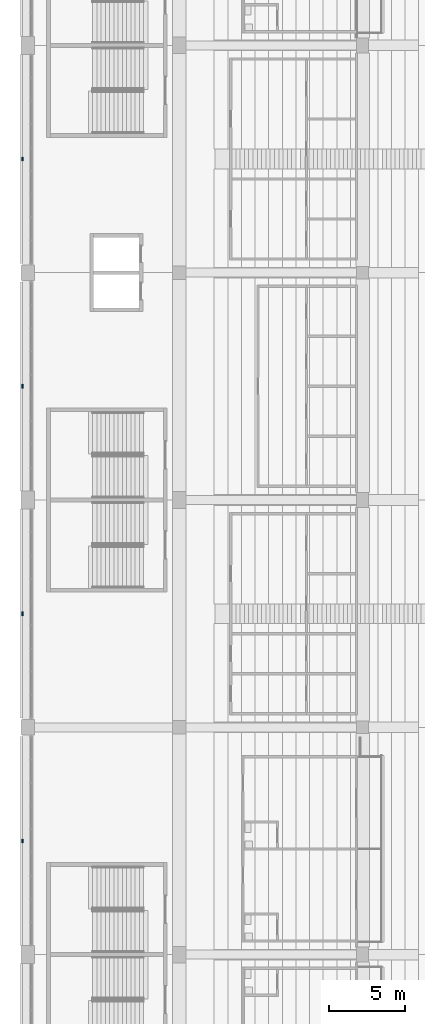
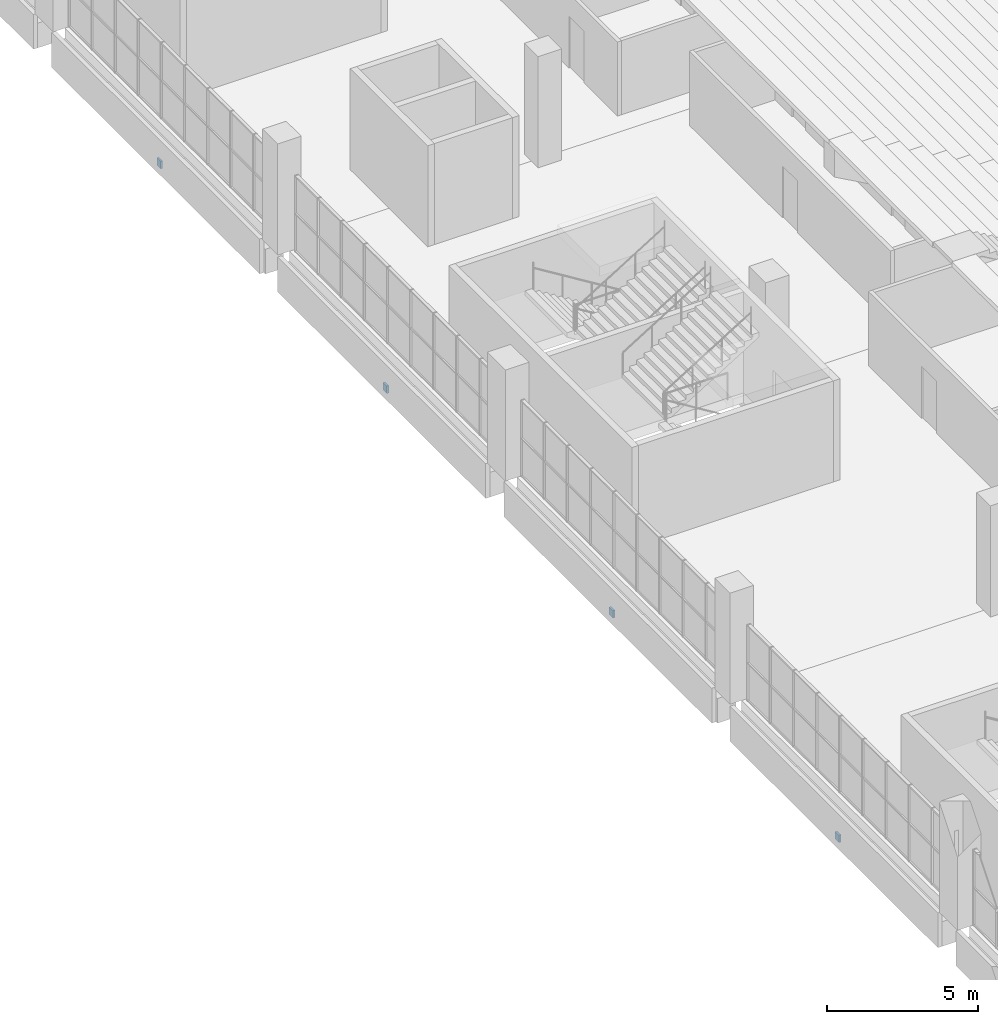
# One storey, part 104 of 249: 4 discrete accessories.
"""IFC4 building model written with IfcOpenShell, lengths in metres."""

from ifc_helpers import new_model, si_unit, direction, frame, origin, origin_2d, place, context, subcontext, project, spatial, rectangle, extrude, material, layer, layer_set, type_object, element, save


model = new_model("IFC4")

# Units and contexts
model_context = context("Model", 3, precision=1e-05, world=origin(), true_north=direction((0.0, 1.0)))
body_context = subcontext(model_context, "Body", "Model", "MODEL_VIEW")
ifc_project = project(units=[si_unit("LENGTHUNIT", "METRE"), si_unit("AREAUNIT", "SQUARE_METRE"), si_unit("VOLUMEUNIT", "CUBIC_METRE"), si_unit("PLANEANGLEUNIT", "RADIAN"), si_unit("MASSUNIT", "GRAM", prefix="KILO")], contexts=[model_context])

# Site, building, storey
site_placement = place(None, origin())
site = spatial("IfcSite", under=ifc_project, at=site_placement, CompositionType="ELEMENT")
building_placement = place(site_placement, origin())
building = spatial("IfcBuilding", under=site, at=building_placement, Name="Ogive Plaza Stadium", CompositionType="ELEMENT")
storey_placement = place(building_placement, frame((0.0, 0.0, 13.5)))
storey = spatial("IfcBuildingStorey", under=building, at=storey_placement, Name="L03", CompositionType="ELEMENT", Elevation=13.5)

# Discrete accessories
ifc_material = material(Name="Steel ASTM A572 Grade 50", Category="steel")
ifc_layer = layer(ifc_material, 0.080078125)
ifc_layer_set = layer_set([ifc_layer], Name="Steel ASTM A572 Grade 50")
discrete_accessory_type = type_object("IfcDiscreteAccessoryType", Name="Spandrel cladding bracket 250x300", PredefinedType="BRACKET", material=ifc_layer_set)
for number, where, z_axis, x_axis, name in (
    (1, (-84.35009765625, -30.0, -1.31005859375), (0.0, 0.0, 1.0), (0.0, 1.0, 0.0), "SPANDREL BRACKET B22 L03"),
    (2, (-84.35009765625, -15.0, -1.31005859375), (0.0, 0.0, 1.0), (0.0, 1.0, 0.0), "SPANDREL BRACKET B23 L03"),
    (3, (-84.35009765625, 0.0, -1.31005859375), (0.0, 0.0, 1.0), (0.0, 1.0, 0.0), "SPANDREL BRACKET B24 L03"),
    (4, (-84.35009765625, 15.0, -1.31005859375), (0.0, 0.0, 1.0), (0.0, 1.0, 0.0), "SPANDREL BRACKET B25 L03"),
):
    element("IfcDiscreteAccessory", number, at=place(storey_placement, frame(where, z_axis=z_axis, x_axis=x_axis)), inside=storey, type_object=discrete_accessory_type, Name=name, PredefinedType="BRACKET", context=body_context, shape_type="SweptSolid", body=[
        extrude(rectangle(XDim=0.25, YDim=0.080078125, at=origin_2d()), origin(), (0.0, 0.0, 1.0), 0.300048828125),
    ])

save(model, "model.ifc")
